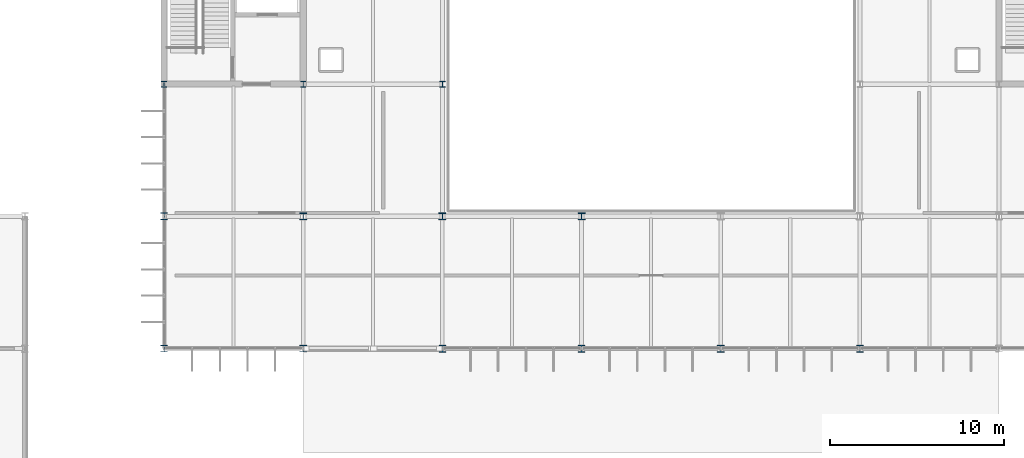
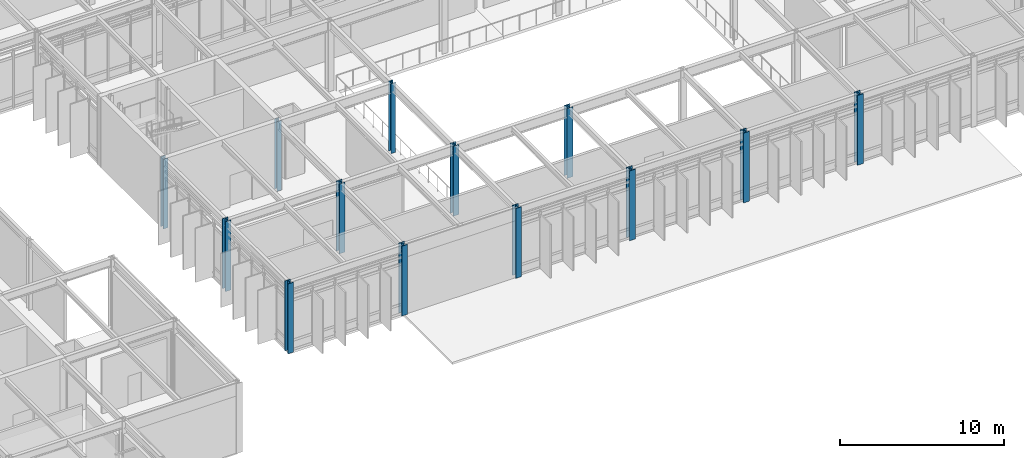
# One storey, part 8 of 94: 13 columns.
"""IFC4 building model written with IfcOpenShell, lengths in metres."""

from ifc_helpers import new_model, si_unit, direction, frame, origin, origin_2d, place, context, subcontext, project, spatial, i_section, extrude, material, material_profile, profile_set, type_object, element, save


model = new_model("IFC4")

# Units and contexts
model_context = context("Model", 3, precision=1e-05, world=origin(), true_north=direction((0.0, 1.0)))
body_context = subcontext(model_context, "Body", "Model", "MODEL_VIEW")
ifc_project = project(units=[si_unit("LENGTHUNIT", "METRE"), si_unit("AREAUNIT", "SQUARE_METRE"), si_unit("VOLUMEUNIT", "CUBIC_METRE"), si_unit("PLANEANGLEUNIT", "RADIAN"), si_unit("MASSUNIT", "GRAM", prefix="KILO")], contexts=[model_context])

# Site, building, storey
site_placement = place(None, origin())
site = spatial("IfcSite", under=ifc_project, at=site_placement, CompositionType="ELEMENT")
building_placement = place(site_placement, origin())
building = spatial("IfcBuilding", under=site, at=building_placement, Name="Zulena Civic Courthouse", CompositionType="ELEMENT")
storey_placement = place(building_placement, frame((0.0, 0.0, 5.39990234375)))
storey = spatial("IfcBuildingStorey", under=building, at=storey_placement, Name="L01", CompositionType="ELEMENT", Elevation=5.39990234375)

# Columns
ifc_material = material(Name="Steel ASTM A992 Grade 50", Category="steel")
ifc_material_profile_1 = material_profile(ifc_material, i_section(OverallWidth=0.31298828125, OverallDepth=0.3330078125, WebThickness=0.01806640625, FlangeThickness=0.0283203125, FilletRadius=0.01513671875, at=origin_2d()), Name="W12X120")
ifc_profile_set_1 = profile_set([ifc_material_profile_1], Name="Steel ASTM A992 Grade 50")
column_type_1 = type_object("IfcColumnType", Name="Col_W12X120", PredefinedType="COLUMN", material=ifc_profile_set_1)
for number, where, z_axis, x_axis, name in (
    (1, (68.0, 30.39990234375, 0.0), (0.0, 0.0, 1.0), (1.0, 0.0, 0.0), "col:V4:L01:68.0:30.4"),
    (2, (76.0, 30.39990234375, 0.0), (0.0, 0.0, 1.0), (1.0, 0.0, 0.0), "col:V4:L01:76.0:30.4"),
    (3, (84.0, 30.39990234375, 0.0), (0.0, 0.0, 1.0), (1.0, 0.0, 0.0), "col:V4:L01:84.0:30.4"),
):
    element("IfcColumn", number, at=place(storey_placement, frame(where, z_axis=z_axis, x_axis=x_axis)), inside=storey, type_object=column_type_1, Name=name, PredefinedType="COLUMN", context=body_context, shape_type="SweptSolid", body=[
        extrude(i_section(OverallWidth=0.31298828125, OverallDepth=0.3330078125, WebThickness=0.01806640625, FlangeThickness=0.0283203125, FilletRadius=0.01513671875, at=origin_2d()), origin(), (0.0, 0.0, 1.0), 5.18505859375),
    ])
ifc_material_profile_2 = material_profile(ifc_material, i_section(OverallWidth=0.40087890625, OverallDepth=0.39892578125, WebThickness=0.02490234375, FlangeThickness=0.03955078125, FilletRadius=0.01513671875, at=origin_2d()), Name="W14X211")
ifc_profile_set_2 = profile_set([ifc_material_profile_2], Name="Steel ASTM A992 Grade 50")
column_type_2 = type_object("IfcColumnType", Name="Col_W14X211", PredefinedType="COLUMN", material=ifc_profile_set_2)
for number, where, z_axis, x_axis, name in (
    (4, (76.0, 22.800048828125, 0.0), (0.0, 0.0, 1.0), (1.0, 0.0, 0.0), "col:V4:L01:76.0:22.8"),
    (5, (84.0, 22.800048828125, 0.0), (0.0, 0.0, 1.0), (1.0, 0.0, 0.0), "col:V4:L01:84.0:22.8"),
    (6, (92.0, 22.800048828125, 0.0), (0.0, 0.0, 1.0), (1.0, 0.0, 0.0), "col:V4:L01:92.0:22.8"),
):
    element("IfcColumn", number, at=place(storey_placement, frame(where, z_axis=z_axis, x_axis=x_axis)), inside=storey, type_object=column_type_2, Name=name, PredefinedType="COLUMN", context=body_context, shape_type="SweptSolid", body=[
        extrude(i_section(OverallWidth=0.40087890625, OverallDepth=0.39892578125, WebThickness=0.02490234375, FlangeThickness=0.03955078125, FilletRadius=0.01513671875, at=origin_2d()), origin(), (0.0, 0.0, 1.0), 5.18505859375),
    ])
ifc_material_profile_3 = material_profile(ifc_material, i_section(OverallWidth=0.406005859375, OverallDepth=0.416015625, WebThickness=0.02978515625, FlangeThickness=0.048095703125, FilletRadius=0.01513671875, at=origin_2d()), Name="W14X257")
ifc_profile_set_3 = profile_set([ifc_material_profile_3], Name="Steel ASTM A992 Grade 50")
column_type_3 = type_object("IfcColumnType", Name="Col_W14X257", PredefinedType="COLUMN", material=ifc_profile_set_3)
for number, where, z_axis, x_axis, name in (
    (7, (68.0, 15.199951171875, 0.0), (0.0, 0.0, 1.0), (1.0, 0.0, 0.0), "col:V4:L01:68.0:15.2"),
    (8, (68.0, 22.800048828125, 0.0), (0.0, 0.0, 1.0), (1.0, 0.0, 0.0), "col:V4:L01:68.0:22.8"),
    (9, (76.0, 15.199951171875, 0.0), (0.0, 0.0, 1.0), (1.0, 0.0, 0.0), "col:V4:L01:76.0:15.2"),
):
    element("IfcColumn", number, at=place(storey_placement, frame(where, z_axis=z_axis, x_axis=x_axis)), inside=storey, type_object=column_type_3, Name=name, PredefinedType="COLUMN", context=body_context, shape_type="SweptSolid", body=[
        extrude(i_section(OverallWidth=0.406005859375, OverallDepth=0.416015625, WebThickness=0.02978515625, FlangeThickness=0.048095703125, FilletRadius=0.01513671875, at=origin_2d()), origin(), (0.0, 0.0, 1.0), 5.18505859375),
    ])
ifc_material_profile_4 = material_profile(ifc_material, i_section(OverallWidth=0.412109375, OverallDepth=0.43505859375, WebThickness=0.035888671875, FlangeThickness=0.057373046875, FilletRadius=0.01513671875, at=origin_2d()), Name="W14X311")
ifc_profile_set_4 = profile_set([ifc_material_profile_4], Name="Steel ASTM A992 Grade 50")
column_type_4 = type_object("IfcColumnType", Name="Col_W14X311", PredefinedType="COLUMN", material=ifc_profile_set_4)
for number, where, z_axis, x_axis, name in (
    (10, (84.0, 15.199951171875, 0.0), (0.0, 0.0, 1.0), (1.0, 0.0, 0.0), "col:V4:L01:84.0:15.2"),
    (11, (92.0, 15.199951171875, 0.0), (0.0, 0.0, 1.0), (1.0, 0.0, 0.0), "col:V4:L01:92.0:15.2"),
    (12, (100.0, 15.199951171875, 0.0), (0.0, 0.0, 1.0), (1.0, 0.0, 0.0), "col:V4:L01:100.0:15.2"),
    (13, (108.0, 15.199951171875, 0.0), (0.0, 0.0, 1.0), (1.0, 0.0, 0.0), "col:V4:L01:108.0:15.2"),
):
    element("IfcColumn", number, at=place(storey_placement, frame(where, z_axis=z_axis, x_axis=x_axis)), inside=storey, type_object=column_type_4, Name=name, PredefinedType="COLUMN", context=body_context, shape_type="SweptSolid", body=[
        extrude(i_section(OverallWidth=0.412109375, OverallDepth=0.43505859375, WebThickness=0.035888671875, FlangeThickness=0.057373046875, FilletRadius=0.01513671875, at=origin_2d()), origin(), (0.0, 0.0, 1.0), 5.18505859375),
    ])

save(model, "model.ifc")
